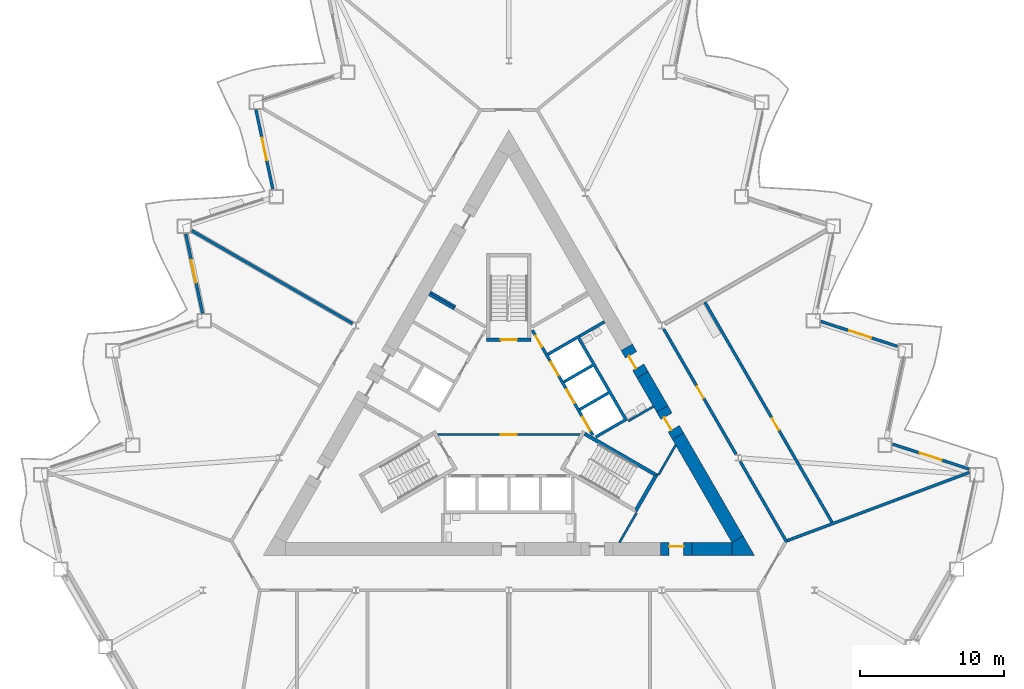
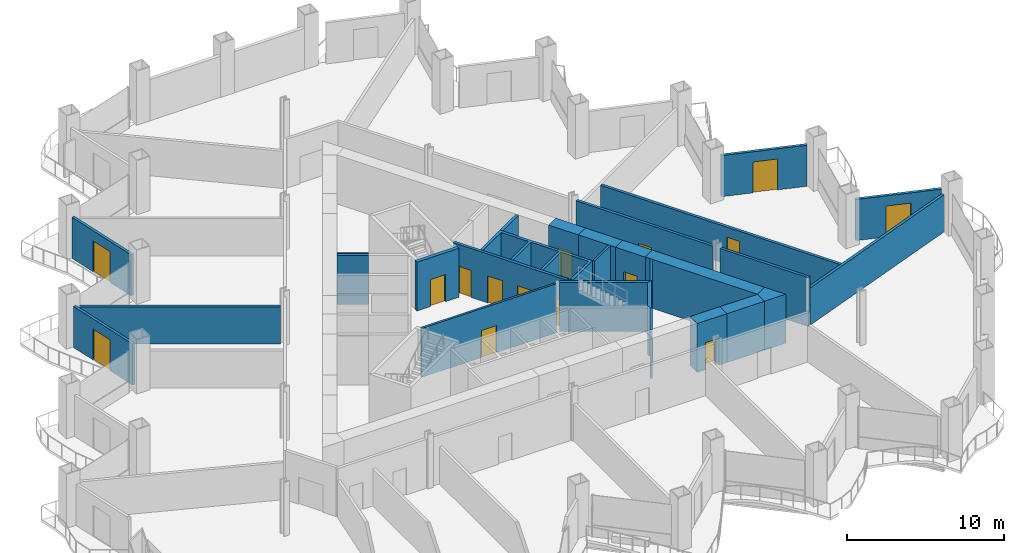
# One storey, part 11 of 20: 28 walls, 15 doors, 15 openings.
"""IFC4 building model written with IfcOpenShell, lengths in metres."""

from ifc_helpers import new_model, si_unit, direction, frame, frame_2d, origin, place, context, subcontext, project, spatial, polyline, rectangle, outline, extrude, material, layer, layer_set, type_object, element, fill, save


model = new_model("IFC4")

# Units and contexts
model_context = context("Model", 3, precision=1e-05, world=origin(), true_north=direction((0.0, 1.0)))
body_context = subcontext(model_context, "Body", "Model", "MODEL_VIEW")
ifc_project = project(units=[si_unit("LENGTHUNIT", "METRE"), si_unit("AREAUNIT", "SQUARE_METRE"), si_unit("VOLUMEUNIT", "CUBIC_METRE"), si_unit("PLANEANGLEUNIT", "RADIAN"), si_unit("MASSUNIT", "GRAM", prefix="KILO")], contexts=[model_context])

# Site, building, storey
site_placement = place(None, origin())
site = spatial("IfcSite", under=ifc_project, at=site_placement, CompositionType="ELEMENT")
building_placement = place(site_placement, origin())
building = spatial("IfcBuilding", under=site, at=building_placement, Name="Cormorant Prow Tower", CompositionType="ELEMENT")
storey_placement = place(building_placement, frame((0.0, 0.0, 63.60009765625)))
storey = spatial("IfcBuildingStorey", under=building, at=storey_placement, Name="L13", CompositionType="ELEMENT", Elevation=63.60009765625)

# Wall, opening, door
ifc_material_1 = material(Name="Gypsum board partition")
ifc_layer_1 = layer(ifc_material_1, 0.14990234375)
ifc_layer_set_1 = layer_set([ifc_layer_1], Name="Gypsum board partition")
wall_type_1 = type_object("IfcWallType", Name="Core partition 150", PredefinedType="PARTITIONING", material=ifc_layer_set_1)
wall_1_placement = place(storey_placement, frame((-4.941162109375, -1.449951171875, 0.0), z_axis=(0.0, 0.0, 1.0), x_axis=(1.0, 0.0, 0.0)))
wall_1 = element("IfcWall", 1, at=wall_1_placement, inside=storey, type_object=wall_type_1, Name="Firefighting lobby partition", PredefinedType="PARTITIONING", context=body_context, shape_type="SweptSolid", body=[
    extrude(rectangle(XDim=9.88232421875, YDim=0.14990234375, at=frame_2d((4.941162109375, 0.0))), origin(), (0.0, 0.0, 1.0), 3.7998046875),
])
opening_1_placement = place(wall_1_placement, frame((4.39111328125, 0.0, 0.0)))
opening_1 = element("IfcOpeningElement", 2, at=opening_1_placement, cuts=wall_1, Name="Opening L13-C11", PredefinedType="OPENING", context=body_context, shape_type="SweptSolid", body=[
    extrude(rectangle(XDim=1.10009765625, YDim=2.10009765625, at=frame_2d((0.550048828125, 1.050048828125))), frame((0.0, 0.0849609375, 0.0), z_axis=(0.0, -1.0, 0.0), x_axis=(1.0, 0.0, 0.0)), (0.0, 0.0, 1.0), 0.169921875),
])
ifc_material_2 = material(Name="Painted steel", Category="steel")
door_type_1 = type_object("IfcDoorType", Name="Firefighting lobby door 1100x2100", OperationType="NOTDEFINED", PredefinedType="DOOR", material=ifc_material_2)
door_1_placement = place(opening_1_placement, origin())
door_1 = element("IfcDoor", 3, at=door_1_placement, inside=storey, type_object=door_type_1, Name="Firefighting lobby door", OperationType="SINGLE_SWING_LEFT", OverallHeight=2.10009765625, OverallWidth=1.10009765625, PredefinedType="DOOR", context=body_context, shape_type="SweptSolid", body=[
    extrude(rectangle(XDim=1.10009765625, YDim=2.10009765625, at=frame_2d((0.550048828125, 1.050048828125))), frame((0.0, 0.02490234375, 0.0), z_axis=(0.0, -1.0, 0.0), x_axis=(1.0, 0.0, 0.0)), (0.0, 0.0, 1.0), 0.050048828125),
])
fill(opening_1, door_1)

# Walls
for number, where, z_axis, x_axis, name in (
    (4, (8.268310546875, -0.509033203125, 0.0), (0.0, 0.0, 1.0), (0.866035824272, 0.499981950752, 0.0), "Service room partition"),
    (5, (-3.693359375, 7.4150390625, 0.0), (0.0, 0.0, 1.0), (-0.866035824272, 0.499981950752, 0.0), "Service room partition"),
):
    element("IfcWall", number, at=place(storey_placement, frame(where, z_axis=z_axis, x_axis=x_axis)), inside=storey, type_object=wall_type_1, Name=name, PredefinedType="PARTITIONING", context=body_context, shape_type="SweptSolid", body=[
        extrude(rectangle(XDim=2.0087890625, YDim=0.14990234375, at=frame_2d((1.00439453125, 0.0))), origin(), (0.0, 0.0, 1.0), 3.7998046875),
    ])
wall_2_placement = place(storey_placement, frame((8.82958984375, -6.880615234375, 0.0), z_axis=(0.0, 0.0, 1.0), x_axis=(-0.500073279432, -0.865983091751, 0.0)))
element("IfcWall", 6, at=wall_2_placement, inside=storey, type_object=wall_type_1, Name="Service room partition", PredefinedType="PARTITIONING", context=body_context, shape_type="SweptSolid", body=[
    extrude(rectangle(XDim=2.349365234375, YDim=0.14990234375, at=frame_2d((1.1748046875, 0.0))), origin(), (0.0, 0.0, 1.0), 3.7998046875),
])
wall_3_placement = place(storey_placement, frame((10.37353515625, -4.206298828125, 0.0), z_axis=(0.0, 0.0, 1.0), x_axis=(0.499995339376, 0.86602809458, 0.0)))
element("IfcWall", 7, at=wall_3_placement, inside=storey, type_object=wall_type_1, Name="Service room partition", PredefinedType="PARTITIONING", context=body_context, shape_type="SweptSolid", body=[
    extrude(rectangle(XDim=2.34912109375, YDim=0.14990234375, at=frame_2d((1.174560546875, 0.0))), origin(), (0.0, 0.0, 1.0), 3.7998046875),
])
ifc_material_3 = material(Name="Concrete 8000 psi", Category="concrete")
ifc_layer_2 = layer(ifc_material_3, 0.89990234375)
ifc_layer_set_2 = layer_set([ifc_layer_2], Name="Concrete 8000 psi")
wall_type_2 = type_object("IfcWallType", Name="Core shear wall 900", PredefinedType="SHEAR", material=ifc_layer_set_2)
wall_4_placement = place(storey_placement, frame((12.69140625, -9.364990234375, 0.0), z_axis=(0.0, 0.0, 1.0), x_axis=(1.0, 0.0, 0.0)))
element("IfcWall", 8, at=wall_4_placement, inside=storey, type_object=wall_type_2, Name="Core wall", PredefinedType="SHEAR", context=body_context, shape_type="SweptSolid", body=[
    extrude(rectangle(XDim=2.749755859375, YDim=0.89990234375, at=frame_2d((1.375, 0.0))), origin(), (0.0, 0.0, 1.0), 3.7998046875),
])
wall_5_placement = place(storey_placement, frame((15.830810546875, -8.68994140625, 0.0), z_axis=(0.0, 0.0, 1.0), x_axis=(-0.499995435471, 0.8660280391, 0.0)))
element("IfcWall", 9, at=wall_5_placement, inside=storey, type_object=wall_type_2, Name="Core wall", PredefinedType="SHEAR", context=body_context, shape_type="SweptSolid", body=[
    extrude(rectangle(XDim=8.23193359375, YDim=0.89990234375, at=frame_2d((4.115966796875, 0.0))), origin(), (0.0, 0.0, 1.0), 3.7998046875),
])
wall_6_placement = place(storey_placement, frame((10.614990234375, 0.344482421875, 0.0), z_axis=(0.0, 0.0, 1.0), x_axis=(-0.500044870432, 0.865999496279, 0.0)))
element("IfcWall", 10, at=wall_6_placement, inside=storey, type_object=wall_type_2, Name="Core wall", PredefinedType="SHEAR", context=body_context, shape_type="SweptSolid", body=[
    extrude(rectangle(XDim=2.709228515625, YDim=0.89990234375, at=frame_2d((1.3544921875, 0.0))), origin(), (0.0, 0.0, 1.0), 3.7998046875),
])
wall_7_placement = place(storey_placement, origin())
element("IfcWall", 11, at=wall_7_placement, inside=storey, type_object=wall_type_2, Name="Core wall corner", PredefinedType="SHEAR", context=body_context, shape_type="SweptSolid", body=[
    extrude(outline(polyline([(15.441162109375, -9.81494140625), (15.441162109375, -8.9150390625), (16.220703125, -8.465087890625), (17.0, -9.81494140625), (15.441162109375, -9.81494140625)])), origin(), (0.0, 0.0, 1.0), 3.7998046875),
])

# Wall, opening, door
wall_8_placement = place(storey_placement, frame((10.491455078125, -9.364990234375, 0.0), z_axis=(0.0, 0.0, 1.0), x_axis=(1.0, 0.0, 0.0)))
wall_8 = element("IfcWall", 12, at=wall_8_placement, inside=storey, type_object=wall_type_2, Name="Core wall door panel", PredefinedType="SHEAR", context=body_context, shape_type="SweptSolid", body=[
    extrude(rectangle(XDim=2.199951171875, YDim=0.89990234375, at=frame_2d((1.10009765625, 0.0))), origin(), (0.0, 0.0, 1.0), 3.7998046875),
])
opening_2_placement = place(wall_8_placement, frame((0.60009765625, 0.0, 0.0)))
opening_2 = element("IfcOpeningElement", 13, at=opening_2_placement, cuts=wall_8, Name="Opening L13-C17", PredefinedType="OPENING", context=body_context, shape_type="SweptSolid", body=[
    extrude(rectangle(XDim=1.0, YDim=2.10009765625, at=frame_2d((0.5, 1.050048828125))), frame((0.0, 0.4599609375, 0.0), z_axis=(0.0, -1.0, 0.0), x_axis=(1.0, 0.0, 0.0)), (0.0, 0.0, 1.0), 0.919921875),
])
ifc_material_4 = material(Name="Painted steel", Category="steel")
door_type_2 = type_object("IfcDoorType", Name="Service door 1000x2100", OperationType="NOTDEFINED", PredefinedType="DOOR", material=ifc_material_4)
door_2_placement = place(opening_2_placement, origin())
door_2 = element("IfcDoor", 14, at=door_2_placement, inside=storey, type_object=door_type_2, Name="Core door, Mechanical riser room", OperationType="SINGLE_SWING_RIGHT", OverallHeight=2.10009765625, OverallWidth=1.0, PredefinedType="DOOR", context=body_context, shape_type="SweptSolid", body=[
    extrude(rectangle(XDim=1.0, YDim=2.10009765625, at=frame_2d((0.5, 1.050048828125))), frame((0.0, 0.205078125, 0.0), z_axis=(0.0, -1.0, 0.0), x_axis=(1.0, 0.0, 0.0)), (0.0, 0.0, 1.0), 0.050048828125),
])
fill(opening_2, door_2)

wall_9_placement = place(storey_placement, frame((9.26025390625, 2.690673828125, 0.0), z_axis=(0.0, 0.0, 1.0), x_axis=(-0.499946605688, 0.86605622881, 0.0)))
wall_9 = element("IfcWall", 15, at=wall_9_placement, inside=storey, type_object=wall_type_2, Name="Core wall door panel", PredefinedType="SHEAR", context=body_context, shape_type="SweptSolid", body=[
    extrude(rectangle(XDim=2.199951171875, YDim=0.89990234375, at=frame_2d((1.10009765625, 0.0))), origin(), (0.0, 0.0, 1.0), 3.7998046875),
])
opening_3_placement = place(wall_9_placement, frame((0.60009765625, 0.0, 0.0)))
opening_3 = element("IfcOpeningElement", 16, at=opening_3_placement, cuts=wall_9, Name="Opening L13-C18", PredefinedType="OPENING", context=body_context, shape_type="SweptSolid", body=[
    extrude(rectangle(XDim=1.0, YDim=2.10009765625, at=frame_2d((0.5, 1.050048828125))), frame((0.0, 0.4599609375, 0.0), z_axis=(0.0, -1.0, 0.0), x_axis=(1.0, 0.0, 0.0)), (0.0, 0.0, 1.0), 0.919921875),
])
door_3_placement = place(opening_3_placement, origin())
door_3 = element("IfcDoor", 17, at=door_3_placement, inside=storey, type_object=door_type_2, Name="Core door, Toilets (men) L13", OperationType="SINGLE_SWING_LEFT", OverallHeight=2.10009765625, OverallWidth=1.0, PredefinedType="DOOR", context=body_context, shape_type="SweptSolid", body=[
    extrude(rectangle(XDim=1.0, YDim=2.10009765625, at=frame_2d((0.5, 1.050048828125))), frame((0.0, 0.205078125, 0.0), z_axis=(0.0, -1.0, 0.0), x_axis=(1.0, 0.0, 0.0)), (0.0, 0.0, 1.0), 0.050048828125),
])
fill(opening_3, door_3)

wall_10_placement = place(storey_placement, frame((11.71484375, -1.560791015625, 0.0), z_axis=(0.0, 0.0, 1.0), x_axis=(-0.499946605688, 0.86605622881, 0.0)))
wall_10 = element("IfcWall", 18, at=wall_10_placement, inside=storey, type_object=wall_type_2, Name="Core wall door panel", PredefinedType="SHEAR", context=body_context, shape_type="SweptSolid", body=[
    extrude(rectangle(XDim=2.199951171875, YDim=0.89990234375, at=frame_2d((1.10009765625, 0.0))), origin(), (0.0, 0.0, 1.0), 3.7998046875),
])
opening_4_placement = place(wall_10_placement, frame((0.60009765625, 0.0, 0.0)))
opening_4 = element("IfcOpeningElement", 19, at=opening_4_placement, cuts=wall_10, Name="Opening L13-C21", PredefinedType="OPENING", context=body_context, shape_type="SweptSolid", body=[
    extrude(rectangle(XDim=1.0, YDim=2.10009765625, at=frame_2d((0.5, 1.050048828125))), frame((0.0, 0.4599609375, 0.0), z_axis=(0.0, -1.0, 0.0), x_axis=(1.0, 0.0, 0.0)), (0.0, 0.0, 1.0), 0.919921875),
])
door_4_placement = place(opening_4_placement, origin())
door_4 = element("IfcDoor", 20, at=door_4_placement, inside=storey, type_object=door_type_2, Name="Core door, Mechanical riser room", OperationType="SINGLE_SWING_RIGHT", OverallHeight=2.10009765625, OverallWidth=1.0, PredefinedType="DOOR", context=body_context, shape_type="SweptSolid", body=[
    extrude(rectangle(XDim=1.0, YDim=2.10009765625, at=frame_2d((0.5, 1.050048828125))), frame((0.0, 0.205078125, 0.0), z_axis=(0.0, -1.0, 0.0), x_axis=(1.0, 0.0, 0.0)), (0.0, 0.0, 1.0), 0.050048828125),
])
fill(opening_4, door_4)

ifc_material_5 = material(Name="Gypsum board corridor wall")
ifc_layer_3 = layer(ifc_material_5, 0.199951171875)
ifc_layer_set_3 = layer_set([ifc_layer_3], Name="Gypsum board corridor wall")
wall_type_3 = type_object("IfcWallType", Name="Corridor wall 200", PredefinedType="PARTITIONING", material=ifc_layer_set_3)
wall_11_placement = place(storey_placement, frame((10.718505859375, 5.865234375, 0.0), z_axis=(0.0, 0.0, 1.0), x_axis=(0.49999175339, -0.866030164915, 0.0)))
wall_11 = element("IfcWall", 21, at=wall_11_placement, inside=storey, type_object=wall_type_3, Name="Corridor wall", PredefinedType="PARTITIONING", context=body_context, shape_type="SweptSolid", body=[
    extrude(rectangle(XDim=10.018798828125, YDim=0.199951171875, at=frame_2d((5.00927734375, 0.0))), origin(), (0.0, 0.0, 1.0), 3.7998046875),
])
opening_5_placement = place(wall_11_placement, frame((4.5849609375, 0.0, 0.0)))
opening_5 = element("IfcOpeningElement", 22, at=opening_5_placement, cuts=wall_11, Name="Opening L13-F07", PredefinedType="OPENING", context=body_context, shape_type="SweptSolid", body=[
    extrude(rectangle(XDim=0.949951171875, YDim=2.10009765625, at=frame_2d((0.47509765625, 1.050048828125))), frame((0.0, 0.10986328125, 0.0), z_axis=(0.0, -1.0, 0.0), x_axis=(1.0, 0.0, 0.0)), (0.0, 0.0, 1.0), 0.219970703125),
])
ifc_material_6 = material(Name="Timber door leaf", Category="wood")
door_type_3 = type_object("IfcDoorType", Name="Store door 950x2100", OperationType="NOTDEFINED", PredefinedType="DOOR", material=ifc_material_6)
door_5_placement = place(opening_5_placement, origin())
door_5 = element("IfcDoor", 23, at=door_5_placement, inside=storey, type_object=door_type_3, Name="Tea point and pantry door", OperationType="SINGLE_SWING_LEFT", OverallHeight=2.10009765625, OverallWidth=0.949951171875, PredefinedType="DOOR", context=body_context, shape_type="SweptSolid", body=[
    extrude(rectangle(XDim=0.949951171875, YDim=2.10009765625, at=frame_2d((0.47509765625, 1.050048828125))), frame((0.0, 0.02490234375, 0.0), z_axis=(0.0, -1.0, 0.0), x_axis=(1.0, 0.0, 0.0)), (0.0, 0.0, 1.0), 0.050048828125),
])
fill(opening_5, door_5)

# Wall
wall_12_placement = place(storey_placement, frame((16.007568359375, -3.2958984375, 0.0), z_axis=(0.0, 0.0, 1.0), x_axis=(0.499984737558, -0.86603421538, 0.0)))
element("IfcWall", 24, at=wall_12_placement, inside=storey, type_object=wall_type_3, Name="Corridor wall", PredefinedType="PARTITIONING", context=body_context, shape_type="SweptSolid", body=[
    extrude(rectangle(XDim=6.472900390625, YDim=0.199951171875, at=frame_2d((3.236328125, 0.0))), origin(), (0.0, 0.0, 1.0), 3.7998046875),
])

# Wall, opening, door
ifc_material_7 = material(Name="Gypsum board demising wall")
ifc_layer_4 = layer(ifc_material_7, 0.199951171875)
ifc_layer_set_4 = layer_set([ifc_layer_4], Name="Gypsum board demising wall")
wall_type_4 = type_object("IfcWallType", Name="Demising wall 200", PredefinedType="PARTITIONING", material=ifc_layer_set_4)
wall_13_placement = place(storey_placement, frame((13.572998046875, 7.720947265625, 0.0), z_axis=(0.0, 0.0, 1.0), x_axis=(0.499990262232, -0.866031025814, 0.0)))
wall_13 = element("IfcWall", 25, at=wall_13_placement, inside=storey, type_object=wall_type_4, Name="Demising wall", PredefinedType="PARTITIONING", context=body_context, shape_type="SweptSolid", body=[
    extrude(rectangle(XDim=17.597412109375, YDim=0.199951171875, at=frame_2d((8.798828125, 0.0))), origin(), (0.0, 0.0, 1.0), 2.88525390625),
])
opening_6_placement = place(wall_13_placement, frame((9.276611328125, 0.0, 0.0)))
opening_6 = element("IfcOpeningElement", 26, at=opening_6_placement, cuts=wall_13, Name="Opening L13-F08", PredefinedType="OPENING", context=body_context, shape_type="SweptSolid", body=[
    extrude(rectangle(XDim=0.949951171875, YDim=2.10009765625, at=frame_2d((0.47509765625, 1.050048828125))), frame((0.0, 0.10986328125, 0.0), z_axis=(0.0, -1.0, 0.0), x_axis=(1.0, 0.0, 0.0)), (0.0, 0.0, 1.0), 0.219970703125),
])
door_6_placement = place(opening_6_placement, origin())
door_6 = element("IfcDoor", 27, at=door_6_placement, inside=storey, type_object=door_type_3, Name="Print and copy room door", OperationType="SINGLE_SWING_RIGHT", OverallHeight=2.10009765625, OverallWidth=0.949951171875, PredefinedType="DOOR", context=body_context, shape_type="SweptSolid", body=[
    extrude(rectangle(XDim=0.949951171875, YDim=2.10009765625, at=frame_2d((0.47509765625, 1.050048828125))), frame((0.0, 0.02490234375, 0.0), z_axis=(0.0, -1.0, 0.0), x_axis=(1.0, 0.0, 0.0)), (0.0, 0.0, 1.0), 0.050048828125),
])
fill(opening_6, door_6)

# Walls
wall_14_placement = place(storey_placement, frame((19.28759765625, -8.77978515625, 0.0), z_axis=(0.0, 0.0, 1.0), x_axis=(0.93644254502, 0.350820979814, 0.0)))
element("IfcWall", 28, at=wall_14_placement, inside=storey, type_object=wall_type_4, Name="Demising wall", PredefinedType="PARTITIONING", context=body_context, shape_type="SweptSolid", body=[
    extrude(rectangle(XDim=13.446533203125, YDim=0.199951171875, at=frame_2d((6.72314453125, 0.0))), origin(), (0.0, 0.0, 1.0), 2.88525390625),
])
wall_15_placement = place(storey_placement, frame((-21.947265625, 12.671142578125, 0.0), z_axis=(0.0, 0.0, 1.0), x_axis=(0.866026729935, -0.499997703033, 0.0)))
element("IfcWall", 29, at=wall_15_placement, inside=storey, type_object=wall_type_4, Name="Demising wall", PredefinedType="PARTITIONING", context=body_context, shape_type="SweptSolid", body=[
    extrude(rectangle(XDim=12.84765625, YDim=0.199951171875, at=frame_2d((6.423828125, 0.0))), origin(), (0.0, 0.0, 1.0), 2.88525390625),
])

# Wall, openings, doors
ifc_material_8 = material(Name="Concrete 5000 psi", Category="concrete")
ifc_layer_5 = layer(ifc_material_8, 0.199951171875)
ifc_layer_set_5 = layer_set([ifc_layer_5], Name="Concrete 5000 psi")
wall_type_5 = type_object("IfcWallType", Name="Lift lobby wall 200", PredefinedType="SOLIDWALL", material=ifc_layer_set_5)
wall_16_placement = place(storey_placement, frame((5.817138671875, -1.4755859375, 0.0), z_axis=(0.0, 0.0, 1.0), x_axis=(-0.500002616675, 0.866023893041, 0.0)))
wall_16 = element("IfcWall", 30, at=wall_16_placement, inside=storey, type_object=wall_type_5, Name="Lift lobby wall, ENE block", PredefinedType="SOLIDWALL", context=body_context, shape_type="SweptSolid", body=[
    extrude(rectangle(XDim=8.373046875, YDim=0.199951171875, at=frame_2d((4.1865234375, 0.0))), origin(), (0.0, 0.0, 1.0), 3.7998046875),
])
opening_7_placement = place(wall_16_placement, frame((0.336669921875, 0.0, 0.0)))
opening_7 = element("IfcOpeningElement", 31, at=opening_7_placement, cuts=wall_16, Name="Opening L13-C05", PredefinedType="OPENING", context=body_context, shape_type="SweptSolid", body=[
    extrude(rectangle(XDim=1.10009765625, YDim=2.10009765625, at=frame_2d((0.550048828125, 1.050048828125))), frame((0.0, 0.10986328125, 0.0), z_axis=(0.0, -1.0, 0.0), x_axis=(1.0, 0.0, 0.0)), (0.0, 0.0, 1.0), 0.219970703125),
])
opening_8_placement = place(wall_16_placement, frame((2.53662109375, 0.0, 0.0)))
opening_8 = element("IfcOpeningElement", 32, at=opening_8_placement, cuts=wall_16, Name="Opening L13-C06", PredefinedType="OPENING", context=body_context, shape_type="SweptSolid", body=[
    extrude(rectangle(XDim=1.10009765625, YDim=2.10009765625, at=frame_2d((0.550048828125, 1.050048828125))), frame((0.0, 0.10986328125, 0.0), z_axis=(0.0, -1.0, 0.0), x_axis=(1.0, 0.0, 0.0)), (0.0, 0.0, 1.0), 0.219970703125),
])
opening_9_placement = place(wall_16_placement, frame((4.736572265625, 0.0, 0.0)))
opening_9 = element("IfcOpeningElement", 33, at=opening_9_placement, cuts=wall_16, Name="Opening L13-C07", PredefinedType="OPENING", context=body_context, shape_type="SweptSolid", body=[
    extrude(rectangle(XDim=1.10009765625, YDim=2.10009765625, at=frame_2d((0.550048828125, 1.050048828125))), frame((0.0, 0.10986328125, 0.0), z_axis=(0.0, -1.0, 0.0), x_axis=(1.0, 0.0, 0.0)), (0.0, 0.0, 1.0), 0.219970703125),
])
opening_10_placement = place(wall_16_placement, frame((7.03662109375, 0.0, 0.0)))
opening_10 = element("IfcOpeningElement", 34, at=opening_10_placement, cuts=wall_16, Name="Opening L13-C08", PredefinedType="OPENING", context=body_context, shape_type="SweptSolid", body=[
    extrude(rectangle(XDim=0.89990234375, YDim=2.10009765625, at=frame_2d((0.449951171875, 1.050048828125))), frame((0.0, 0.10986328125, 0.0), z_axis=(0.0, -1.0, 0.0), x_axis=(1.0, 0.0, 0.0)), (0.0, 0.0, 1.0), 0.219970703125),
])
ifc_material_9 = material(Name="Painted steel", Category="steel")
door_type_4 = type_object("IfcDoorType", Name="Lift landing door 1100x2100", OperationType="SLIDING_TO_LEFT", PredefinedType="DOOR", material=ifc_material_9)
door_7_placement = place(opening_7_placement, origin())
door_7 = element("IfcDoor", 35, at=door_7_placement, inside=storey, type_object=door_type_4, Name="Landing door LR2", OperationType="SLIDING_TO_LEFT", OverallHeight=2.10009765625, OverallWidth=1.10009765625, PredefinedType="DOOR", context=body_context, shape_type="SweptSolid", body=[
    extrude(rectangle(XDim=1.10009765625, YDim=2.10009765625, at=frame_2d((0.550048828125, 1.050048828125))), frame((0.0, 0.02490234375, 0.0), z_axis=(0.0, -1.0, 0.0), x_axis=(1.0, 0.0, 0.0)), (0.0, 0.0, 1.0), 0.050048828125),
])
fill(opening_7, door_7)
door_8_placement = place(opening_8_placement, origin())
door_8 = element("IfcDoor", 36, at=door_8_placement, inside=storey, type_object=door_type_4, Name="Landing door LR3", OperationType="SLIDING_TO_LEFT", OverallHeight=2.10009765625, OverallWidth=1.10009765625, PredefinedType="DOOR", context=body_context, shape_type="SweptSolid", body=[
    extrude(rectangle(XDim=1.10009765625, YDim=2.10009765625, at=frame_2d((0.550048828125, 1.050048828125))), frame((0.0, 0.02490234375, 0.0), z_axis=(0.0, -1.0, 0.0), x_axis=(1.0, 0.0, 0.0)), (0.0, 0.0, 1.0), 0.050048828125),
])
fill(opening_8, door_8)
door_9_placement = place(opening_9_placement, origin())
door_9 = element("IfcDoor", 37, at=door_9_placement, inside=storey, type_object=door_type_4, Name="Landing door LR4", OperationType="SLIDING_TO_LEFT", OverallHeight=2.10009765625, OverallWidth=1.10009765625, PredefinedType="DOOR", context=body_context, shape_type="SweptSolid", body=[
    extrude(rectangle(XDim=1.10009765625, YDim=2.10009765625, at=frame_2d((0.550048828125, 1.050048828125))), frame((0.0, 0.02490234375, 0.0), z_axis=(0.0, -1.0, 0.0), x_axis=(1.0, 0.0, 0.0)), (0.0, 0.0, 1.0), 0.050048828125),
])
fill(opening_9, door_9)
ifc_material_10 = material(Name="Painted steel", Category="steel")
door_type_5 = type_object("IfcDoorType", Name="Service door 900x2100", OperationType="NOTDEFINED", PredefinedType="DOOR", material=ifc_material_10)
door_10_placement = place(opening_10_placement, origin())
door_10 = element("IfcDoor", 38, at=door_10_placement, inside=storey, type_object=door_type_5, Name="Service door, Electrical room", OperationType="SINGLE_SWING_RIGHT", OverallHeight=2.10009765625, OverallWidth=0.89990234375, PredefinedType="DOOR", context=body_context, shape_type="SweptSolid", body=[
    extrude(rectangle(XDim=0.89990234375, YDim=2.10009765625, at=frame_2d((0.449951171875, 1.050048828125))), frame((0.0, 0.02490234375, 0.0), z_axis=(0.0, -1.0, 0.0), x_axis=(1.0, 0.0, 0.0)), (0.0, 0.0, 1.0), 0.050048828125),
])
fill(opening_10, door_10)

# Walls
ifc_material_11 = material(Name="Concrete 8000 psi", Category="concrete")
ifc_layer_6 = layer(ifc_material_11, 0.199951171875)
ifc_layer_set_6 = layer_set([ifc_layer_6], Name="Concrete 8000 psi")
wall_type_6 = type_object("IfcWallType", Name="Lift shaft wall 200", PredefinedType="SHEAR", material=ifc_layer_set_6)
wall_17_placement = place(storey_placement, origin())
element("IfcWall", 39, at=wall_17_placement, inside=storey, type_object=wall_type_6, Name="Lift shaft walls, ENE block", PredefinedType="SHEAR", context=body_context, shape_type="SweptSolid", body=[
    extrude(outline(polyline([(2.660400390625, 4.19189453125), (4.830810546875, 5.44482421875), (8.230712890625, -0.444091796875), (6.060546875, -1.697021484375), (5.96044921875, -1.52392578125), (7.952392578125, -0.373779296875), (6.952392578125, 1.358154296875), (4.96044921875, 0.2080078125), (4.860595703125, 0.38134765625), (6.852294921875, 1.53125), (5.852294921875, 3.263427734375), (3.860595703125, 2.11328125), (3.760498046875, 2.28662109375), (5.75244140625, 3.4365234375), (4.75244140625, 5.168701171875), (2.760498046875, 4.018798828125), (2.660400390625, 4.19189453125)])), origin(), (0.0, 0.0, 1.0), 3.7998046875),
])
wall_18_placement = place(storey_placement, frame((4.880859375, 5.3583984375, 0.0), z_axis=(0.0, 0.0, 1.0), x_axis=(0.866035824272, 0.499981950752, 0.0)))
element("IfcWall", 40, at=wall_18_placement, inside=storey, type_object=wall_type_6, Name="Store side wall", PredefinedType="SHEAR", context=body_context, shape_type="SweptSolid", body=[
    extrude(rectangle(XDim=2.0087890625, YDim=0.199951171875, at=frame_2d((1.00439453125, 0.0))), origin(), (0.0, 0.0, 1.0), 3.7998046875),
])
wall_19_placement = place(storey_placement, frame((-3.78076171875, 7.263427734375, 0.0), z_axis=(0.0, 0.0, 1.0), x_axis=(-0.865983199114, 0.50007309351, 0.0)))
element("IfcWall", 41, at=wall_19_placement, inside=storey, type_object=wall_type_6, Name="Store side wall", PredefinedType="SHEAR", context=body_context, shape_type="SweptSolid", body=[
    extrude(rectangle(XDim=2.009033203125, YDim=0.199951171875, at=frame_2d((1.00439453125, 0.0))), origin(), (0.0, 0.0, 1.0), 3.7998046875),
])
ifc_material_12 = material(Name="Concrete 8000 psi", Category="concrete")
ifc_layer_7 = layer(ifc_material_12, 0.25)
ifc_layer_set_7 = layer_set([ifc_layer_7], Name="Concrete 8000 psi")
wall_type_7 = type_object("IfcWallType", Name="Stair wall 250", PredefinedType="SHEAR", material=ifc_layer_set_7)
wall_20_placement = place(storey_placement, origin())
element("IfcWall", 42, at=wall_20_placement, inside=storey, type_object=wall_type_7, Name="Stair ST2 enclosure wall (end)", PredefinedType="SHEAR", context=body_context, shape_type="SweptSolid", body=[
    extrude(outline(polyline([(8.82958984375, -6.880615234375), (10.37353515625, -4.206298828125), (10.031982421875, -4.2978515625), (8.738037109375, -6.5390625), (8.82958984375, -6.880615234375)])), origin(), (0.0, 0.0, 1.0), 3.7998046875),
])
wall_21_placement = place(storey_placement, origin())
element("IfcWall", 43, at=wall_21_placement, inside=storey, type_object=wall_type_7, Name="Stair ST2 enclosure wall (flank)", PredefinedType="SHEAR", context=body_context, shape_type="SweptSolid", body=[
    extrude(outline(polyline([(10.031982421875, -4.2978515625), (10.37353515625, -4.206298828125), (5.30712890625, -1.28125), (5.18212890625, -1.497802734375), (10.031982421875, -4.2978515625)])), origin(), (0.0, 0.0, 1.0), 3.7998046875),
])

# Wall, opening, door
wall_22_placement = place(storey_placement, frame((1.5439453125, 5.11181640625, 0.0), z_axis=(0.0, 0.0, 1.0), x_axis=(-1.0, 0.0, 0.0)))
wall_22 = element("IfcWall", 44, at=wall_22_placement, inside=storey, type_object=wall_type_7, Name="Stair ST3 door wall", PredefinedType="SHEAR", context=body_context, shape_type="SweptSolid", body=[
    extrude(rectangle(XDim=3.087890625, YDim=0.25, at=frame_2d((1.5439453125, 0.0))), origin(), (0.0, 0.0, 1.0), 3.7998046875),
])
opening_11_placement = place(wall_22_placement, frame((0.993896484375, 0.0, 0.0)))
opening_11 = element("IfcOpeningElement", 45, at=opening_11_placement, cuts=wall_22, Name="Opening L13-C14", PredefinedType="OPENING", context=body_context, shape_type="SweptSolid", body=[
    extrude(rectangle(XDim=1.10009765625, YDim=2.10009765625, at=frame_2d((0.550048828125, 1.050048828125))), frame((0.0, 0.135009765625, 0.0), z_axis=(0.0, -1.0, 0.0), x_axis=(1.0, 0.0, 0.0)), (0.0, 0.0, 1.0), 0.27001953125),
])
ifc_material_13 = material(Name="Painted steel", Category="steel")
door_type_6 = type_object("IfcDoorType", Name="Stair door 1100x2100", OperationType="NOTDEFINED", PredefinedType="DOOR", material=ifc_material_13)
door_11_placement = place(opening_11_placement, origin())
door_11 = element("IfcDoor", 46, at=door_11_placement, inside=storey, type_object=door_type_6, Name="Stair ST3 door", OperationType="SINGLE_SWING_RIGHT", OverallHeight=2.10009765625, OverallWidth=1.10009765625, PredefinedType="DOOR", context=body_context, shape_type="SweptSolid", body=[
    extrude(rectangle(XDim=1.10009765625, YDim=2.10009765625, at=frame_2d((0.550048828125, 1.050048828125))), frame((0.0, 0.02490234375, 0.0), z_axis=(0.0, -1.0, 0.0), x_axis=(1.0, 0.0, 0.0)), (0.0, 0.0, 1.0), 0.050048828125),
])
fill(opening_11, door_11)

ifc_material_14 = material(Name="Terracotta", Category="masonry")
ifc_layer_8 = layer(ifc_material_14, 0.199951171875)
ifc_layer_set_8 = layer_set([ifc_layer_8], Name="Terracotta")
wall_type_8 = type_object("IfcWallType", Name="Terracotta jamb wall 200", PredefinedType="SOLIDWALL", material=ifc_layer_set_8)
wall_23_placement = place(storey_placement, frame((31.86474609375, -3.830078125, 0.0), z_axis=(0.0, 0.0, 1.0), x_axis=(-0.951054004345, 0.309024725255, 0.0)))
wall_23 = element("IfcWall", 47, at=wall_23_placement, inside=storey, type_object=wall_type_8, Name="Terracotta jamb wall ENE01", PredefinedType="SOLIDWALL", context=body_context, shape_type="SweptSolid", body=[
    extrude(rectangle(XDim=5.579345703125, YDim=0.199951171875, at=frame_2d((2.78955078125, 0.0))), origin(), (0.0, 0.0, 1.0), 3.188720703125),
])
opening_12_placement = place(wall_23_placement, frame((1.992431640625, 0.0, 0.0)))
opening_12 = element("IfcOpeningElement", 48, at=opening_12_placement, cuts=wall_23, Name="Opening ED13.06", PredefinedType="OPENING", context=body_context, shape_type="SweptSolid", body=[
    extrude(rectangle(XDim=1.60009765625, YDim=2.39990234375, at=frame_2d((0.800048828125, 1.199951171875))), frame((0.0, 0.10986328125, 0.0), z_axis=(0.0, -1.0, 0.0), x_axis=(1.0, 0.0, 0.0)), (0.0, 0.0, 1.0), 0.219970703125),
])
ifc_material_15 = material(Name="Aluminium 6063-T6", Category="aluminium")
door_type_7 = type_object("IfcDoorType", Name="Balcony door 1600x2400", OperationType="DOUBLE_DOOR_SINGLE_SWING", PredefinedType="DOOR", material=ifc_material_15)
door_12_placement = place(opening_12_placement, origin())
door_12 = element("IfcDoor", 49, at=door_12_placement, inside=storey, type_object=door_type_7, Name="Balcony door ENE01 ED13.06", OperationType="DOUBLE_DOOR_SINGLE_SWING", OverallHeight=2.39990234375, OverallWidth=1.60009765625, PredefinedType="DOOR", context=body_context, shape_type="SweptSolid", body=[
    extrude(rectangle(XDim=1.60009765625, YDim=2.39990234375, at=frame_2d((0.800048828125, 1.199951171875))), frame((0.0, 0.02490234375, 0.0), z_axis=(0.0, -1.0, 0.0), x_axis=(1.0, 0.0, 0.0)), (0.0, 0.0, 1.0), 0.050048828125),
])
fill(opening_12, door_12)

wall_24_placement = place(storey_placement, frame((26.898681640625, 4.6611328125, 0.0), z_axis=(0.0, 0.0, 1.0), x_axis=(-0.951054004345, 0.309024725255, 0.0)))
wall_24 = element("IfcWall", 50, at=wall_24_placement, inside=storey, type_object=wall_type_8, Name="Terracotta jamb wall ENE03", PredefinedType="SOLIDWALL", context=body_context, shape_type="SweptSolid", body=[
    extrude(rectangle(XDim=5.579345703125, YDim=0.199951171875, at=frame_2d((2.78955078125, 0.0))), origin(), (0.0, 0.0, 1.0), 3.188720703125),
])
opening_13_placement = place(wall_24_placement, frame((1.91015625, 0.0, 0.0)))
opening_13 = element("IfcOpeningElement", 51, at=opening_13_placement, cuts=wall_24, Name="Opening ED13.07", PredefinedType="OPENING", context=body_context, shape_type="SweptSolid", body=[
    extrude(rectangle(XDim=1.60009765625, YDim=2.39990234375, at=frame_2d((0.800048828125, 1.199951171875))), frame((0.0, 0.10986328125, 0.0), z_axis=(0.0, -1.0, 0.0), x_axis=(1.0, 0.0, 0.0)), (0.0, 0.0, 1.0), 0.219970703125),
])
door_13_placement = place(opening_13_placement, origin())
door_13 = element("IfcDoor", 52, at=door_13_placement, inside=storey, type_object=door_type_7, Name="Balcony door ENE03 ED13.07", OperationType="DOUBLE_DOOR_SINGLE_SWING", OverallHeight=2.39990234375, OverallWidth=1.60009765625, PredefinedType="DOOR", context=body_context, shape_type="SweptSolid", body=[
    extrude(rectangle(XDim=1.60009765625, YDim=2.39990234375, at=frame_2d((0.800048828125, 1.199951171875))), frame((0.0, 0.02490234375, 0.0), z_axis=(0.0, -1.0, 0.0), x_axis=(1.0, 0.0, 0.0)), (0.0, 0.0, 1.0), 0.050048828125),
])
fill(opening_13, door_13)

wall_25_placement = place(storey_placement, frame((-17.50439453125, 21.050537109375, 0.0), z_axis=(0.0, 0.0, 1.0), x_axis=(0.207901831982, -0.978149696242, 0.0)))
wall_25 = element("IfcWall", 53, at=wall_25_placement, inside=storey, type_object=wall_type_8, Name="Terracotta jamb wall WNW03", PredefinedType="SOLIDWALL", context=body_context, shape_type="SweptSolid", body=[
    extrude(rectangle(XDim=5.626220703125, YDim=0.199951171875, at=frame_2d((2.81298828125, 0.0))), origin(), (0.0, 0.0, 1.0), 3.188720703125),
])
opening_14_placement = place(wall_25_placement, frame((1.998291015625, 0.0, 0.0)))
opening_14 = element("IfcOpeningElement", 54, at=opening_14_placement, cuts=wall_25, Name="Opening ED13.12", PredefinedType="OPENING", context=body_context, shape_type="SweptSolid", body=[
    extrude(rectangle(XDim=1.60009765625, YDim=2.39990234375, at=frame_2d((0.800048828125, 1.199951171875))), frame((0.0, 0.10986328125, 0.0), z_axis=(0.0, -1.0, 0.0), x_axis=(1.0, 0.0, 0.0)), (0.0, 0.0, 1.0), 0.219970703125),
])
door_14_placement = place(opening_14_placement, origin())
door_14 = element("IfcDoor", 55, at=door_14_placement, inside=storey, type_object=door_type_7, Name="Balcony door WNW03 ED13.12", OperationType="DOUBLE_DOOR_SINGLE_SWING", OverallHeight=2.39990234375, OverallWidth=1.60009765625, PredefinedType="DOOR", context=body_context, shape_type="SweptSolid", body=[
    extrude(rectangle(XDim=1.60009765625, YDim=2.39990234375, at=frame_2d((0.800048828125, 1.199951171875))), frame((0.0, 0.02490234375, 0.0), z_axis=(0.0, -1.0, 0.0), x_axis=(1.0, 0.0, 0.0)), (0.0, 0.0, 1.0), 0.050048828125),
])
fill(opening_14, door_14)

wall_26_placement = place(storey_placement, frame((-22.36328125, 12.448974609375, 0.0), z_axis=(0.0, 0.0, 1.0), x_axis=(0.207901831982, -0.978149696242, 0.0)))
wall_26 = element("IfcWall", 56, at=wall_26_placement, inside=storey, type_object=wall_type_8, Name="Terracotta jamb wall WNW05", PredefinedType="SOLIDWALL", context=body_context, shape_type="SweptSolid", body=[
    extrude(rectangle(XDim=5.626220703125, YDim=0.199951171875, at=frame_2d((2.81298828125, 0.0))), origin(), (0.0, 0.0, 1.0), 3.188720703125),
])
opening_15_placement = place(wall_26_placement, frame((1.859619140625, 0.0, 0.0)))
opening_15 = element("IfcOpeningElement", 57, at=opening_15_placement, cuts=wall_26, Name="Opening ED13.13", PredefinedType="OPENING", context=body_context, shape_type="SweptSolid", body=[
    extrude(rectangle(XDim=1.60009765625, YDim=2.39990234375, at=frame_2d((0.800048828125, 1.199951171875))), frame((0.0, 0.10986328125, 0.0), z_axis=(0.0, -1.0, 0.0), x_axis=(1.0, 0.0, 0.0)), (0.0, 0.0, 1.0), 0.219970703125),
])
door_15_placement = place(opening_15_placement, origin())
door_15 = element("IfcDoor", 58, at=door_15_placement, inside=storey, type_object=door_type_7, Name="Balcony door WNW05 ED13.13", OperationType="DOUBLE_DOOR_SINGLE_SWING", OverallHeight=2.39990234375, OverallWidth=1.60009765625, PredefinedType="DOOR", context=body_context, shape_type="SweptSolid", body=[
    extrude(rectangle(XDim=1.60009765625, YDim=2.39990234375, at=frame_2d((0.800048828125, 1.199951171875))), frame((0.0, 0.02490234375, 0.0), z_axis=(0.0, -1.0, 0.0), x_axis=(1.0, 0.0, 0.0)), (0.0, 0.0, 1.0), 0.050048828125),
])
fill(opening_15, door_15)

save(model, "model.ifc")
